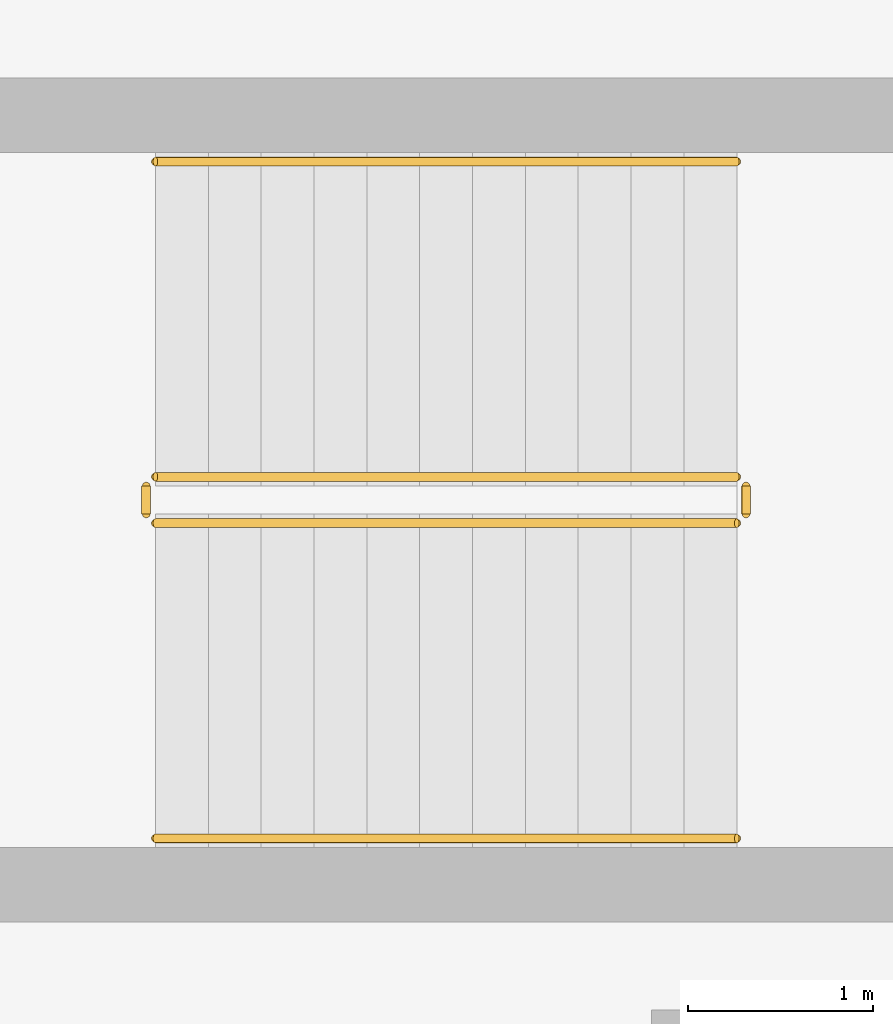
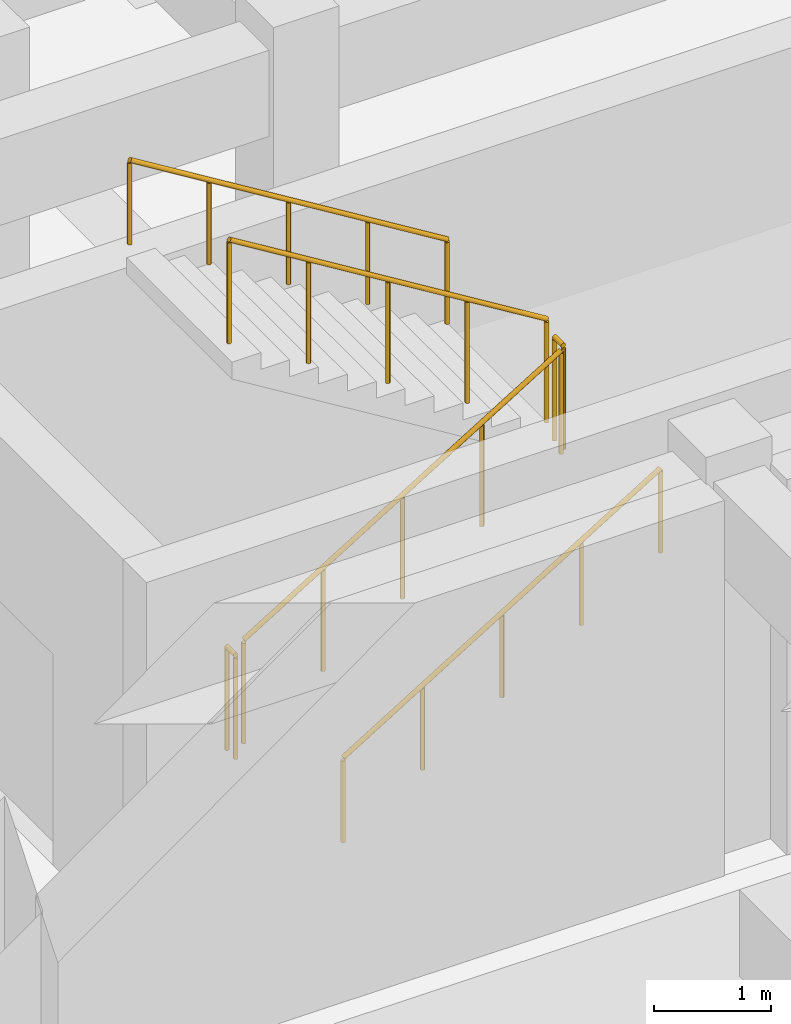
# One storey, part 27 of 31: 6 railings.
"""IFC4 building model written with IfcOpenShell, lengths in metres."""

from ifc_helpers import new_model, si_unit, direction, frame, origin, origin_2d, place, context, subcontext, project, spatial, circle, extrude, material, type_object, element, save


model = new_model("IFC4")

# Units and contexts
model_context = context("Model", 3, precision=1e-05, world=origin(), true_north=direction((0.0, 1.0)))
body_context = subcontext(model_context, "Body", "Model", "MODEL_VIEW")
ifc_project = project(units=[si_unit("LENGTHUNIT", "METRE"), si_unit("AREAUNIT", "SQUARE_METRE"), si_unit("VOLUMEUNIT", "CUBIC_METRE"), si_unit("PLANEANGLEUNIT", "RADIAN"), si_unit("MASSUNIT", "GRAM", prefix="KILO")], contexts=[model_context])

# Site, building, storey
site_placement = place(None, origin())
site = spatial("IfcSite", under=ifc_project, at=site_placement, CompositionType="ELEMENT")
building_placement = place(site_placement, origin())
building = spatial("IfcBuilding", under=site, at=building_placement, Name="Brisavento Harbour Community Centre", CompositionType="ELEMENT")
storey_placement = place(building_placement, frame((0.0, 0.0, -4.199951171875)))
storey = spatial("IfcBuildingStorey", under=building, at=storey_placement, Name="B1", CompositionType="ELEMENT", Elevation=-4.199951171875)

# Railings
ifc_material = material(Name="Stainless steel 1.4401", Category="steel")
railing_type_1 = type_object("IfcRailingType", Name="RL-ST-GUARD", PredefinedType="GUARDRAIL", material=ifc_material)
railing_1_placement = place(storey_placement, frame((119.39990234375, 17.949951171875, 0.175048828125)))
element("IfcRailing", 1, at=railing_1_placement, inside=storey, type_object=railing_type_1, Name="B1 ST-04 stair guard 1", PredefinedType="GUARDRAIL", context=body_context, shape_type="SweptSolid", body=[
    extrude(circle(Radius=0.02392578125, at=origin_2d()), frame((0.0, 0.0, 1.076171875), z_axis=(0.852195625947, 0.0, 0.523223293744), x_axis=(0.0, 1.0, 0.0)), (0.0, 0.0, 1.0), 3.6787109375),
    extrude(circle(Radius=0.02099609375, at=origin_2d()), origin(), (0.0, 0.0, 1.0), 1.052001953125),
    extrude(circle(Radius=0.02099609375, at=origin_2d()), frame((0.78369140625, 0.0, 0.481201171875)), (0.0, 0.0, 1.0), 1.052001953125),
    extrude(circle(Radius=0.02099609375, at=origin_2d()), frame((1.5673828125, 0.0, 0.96240234375)), (0.0, 0.0, 1.0), 1.052001953125),
    extrude(circle(Radius=0.02099609375, at=origin_2d()), frame((2.351318359375, 0.0, 1.443603515625)), (0.0, 0.0, 1.0), 1.052001953125),
    extrude(circle(Radius=0.02099609375, at=origin_2d()), frame((3.135009765625, 0.0, 1.9248046875)), (0.0, 0.0, 1.0), 1.052001953125),
])
railing_2_placement = place(storey_placement, frame((122.5849609375, 18.0, 2.099853515625)))
element("IfcRailing", 2, at=railing_2_placement, inside=storey, type_object=railing_type_1, Name="B1 ST-04 stair guard 2", PredefinedType="GUARDRAIL", context=body_context, shape_type="SweptSolid", body=[
    extrude(circle(Radius=0.02392578125, at=origin_2d()), frame((0.0, 0.0, 1.076171875), z_axis=(0.0, 1.0, 0.0), x_axis=(-1.0, 0.0, 0.0)), (0.0, 0.0, 1.0), 0.14990234375),
    extrude(circle(Radius=0.02099609375, at=origin_2d()), origin(), (0.0, 0.0, 1.0), 1.052001953125),
    extrude(circle(Radius=0.02099609375, at=origin_2d()), frame((0.0, 0.14990234375, 0.0)), (0.0, 0.0, 1.0), 1.052001953125),
])
railing_3_placement = place(storey_placement, frame((122.534912109375, 18.199951171875, 2.27490234375)))
element("IfcRailing", 3, at=railing_3_placement, inside=storey, type_object=railing_type_1, Name="B1 ST-04 stair guard 3", PredefinedType="GUARDRAIL", context=body_context, shape_type="SweptSolid", body=[
    extrude(circle(Radius=0.02392578125, at=origin_2d()), frame((0.0, 0.0, 1.076171875), z_axis=(-0.852166034122, 0.0, 0.523271488128), x_axis=(0.0, -1.0, 0.0)), (0.0, 0.0, 1.0), 3.678955078125),
    extrude(circle(Radius=0.02099609375, at=origin_2d()), origin(), (0.0, 0.0, 1.0), 1.052001953125),
    extrude(circle(Radius=0.02099609375, at=origin_2d()), frame((-0.78369140625, 0.0, 0.481201171875)), (0.0, 0.0, 1.0), 1.052001953125),
    extrude(circle(Radius=0.02099609375, at=origin_2d()), frame((-1.5673828125, 0.0, 0.96240234375)), (0.0, 0.0, 1.0), 1.052001953125),
    extrude(circle(Radius=0.02099609375, at=origin_2d()), frame((-2.351318359375, 0.0, 1.44384765625)), (0.0, 0.0, 1.0), 1.052001953125),
    extrude(circle(Radius=0.02099609375, at=origin_2d()), frame((-3.135009765625, 0.0, 1.925048828125)), (0.0, 0.0, 1.0), 1.052001953125),
])
railing_4_placement = place(storey_placement, frame((119.35009765625, 18.0, 0.0)))
element("IfcRailing", 4, at=railing_4_placement, inside=storey, type_object=railing_type_1, Name="B1 ST-04 stair guard 4", PredefinedType="GUARDRAIL", context=body_context, shape_type="SweptSolid", body=[
    extrude(circle(Radius=0.02392578125, at=origin_2d()), frame((0.0, 0.0, 1.076171875), z_axis=(0.0, 1.0, 0.0), x_axis=(-1.0, 0.0, 0.0)), (0.0, 0.0, 1.0), 0.14990234375),
    extrude(circle(Radius=0.02099609375, at=origin_2d()), origin(), (0.0, 0.0, 1.0), 1.052001953125),
    extrude(circle(Radius=0.02099609375, at=origin_2d()), frame((0.0, 0.14990234375, 0.0)), (0.0, 0.0, 1.0), 1.052001953125),
])
railing_type_2 = type_object("IfcRailingType", Name="RL-ST-HAND", PredefinedType="HANDRAIL", material=ifc_material)
railing_5_placement = place(storey_placement, frame((119.39990234375, 16.25, 0.175048828125)))
element("IfcRailing", 5, at=railing_5_placement, inside=storey, type_object=railing_type_2, Name="B1 ST-04 stair handrail 1", PredefinedType="HANDRAIL", context=body_context, shape_type="SweptSolid", body=[
    extrude(circle(Radius=0.02392578125, at=origin_2d()), frame((0.0, 0.0, 0.8759765625), z_axis=(0.852195625947, 0.0, 0.523223293744), x_axis=(0.0, 1.0, 0.0)), (0.0, 0.0, 1.0), 3.6787109375),
    extrude(circle(Radius=0.02099609375, at=origin_2d()), origin(), (0.0, 0.0, 1.0), 0.851806640625),
    extrude(circle(Radius=0.02099609375, at=origin_2d()), frame((0.78369140625, 0.0, 0.481201171875)), (0.0, 0.0, 1.0), 0.851806640625),
    extrude(circle(Radius=0.02099609375, at=origin_2d()), frame((1.5673828125, 0.0, 0.96240234375)), (0.0, 0.0, 1.0), 0.851806640625),
    extrude(circle(Radius=0.02099609375, at=origin_2d()), frame((2.351318359375, 0.0, 1.443603515625)), (0.0, 0.0, 1.0), 0.851806640625),
    extrude(circle(Radius=0.02099609375, at=origin_2d()), frame((3.135009765625, 0.0, 1.9248046875)), (0.0, 0.0, 1.0), 0.851806640625),
])
railing_6_placement = place(storey_placement, frame((122.534912109375, 19.89990234375, 2.27490234375)))
element("IfcRailing", 6, at=railing_6_placement, inside=storey, type_object=railing_type_2, Name="B1 ST-04 stair handrail 2", PredefinedType="HANDRAIL", context=body_context, shape_type="SweptSolid", body=[
    extrude(circle(Radius=0.02392578125, at=origin_2d()), frame((0.0, 0.0, 0.8759765625), z_axis=(-0.852166034122, 0.0, 0.523271488128), x_axis=(0.0, -1.0, 0.0)), (0.0, 0.0, 1.0), 3.678955078125),
    extrude(circle(Radius=0.02099609375, at=origin_2d()), origin(), (0.0, 0.0, 1.0), 0.851806640625),
    extrude(circle(Radius=0.02099609375, at=origin_2d()), frame((-0.78369140625, 0.0, 0.481201171875)), (0.0, 0.0, 1.0), 0.851806640625),
    extrude(circle(Radius=0.02099609375, at=origin_2d()), frame((-1.5673828125, 0.0, 0.96240234375)), (0.0, 0.0, 1.0), 0.851806640625),
    extrude(circle(Radius=0.02099609375, at=origin_2d()), frame((-2.351318359375, 0.0, 1.44384765625)), (0.0, 0.0, 1.0), 0.851806640625),
    extrude(circle(Radius=0.02099609375, at=origin_2d()), frame((-3.135009765625, 0.0, 1.925048828125)), (0.0, 0.0, 1.0), 0.851806640625),
])

save(model, "model.ifc")
